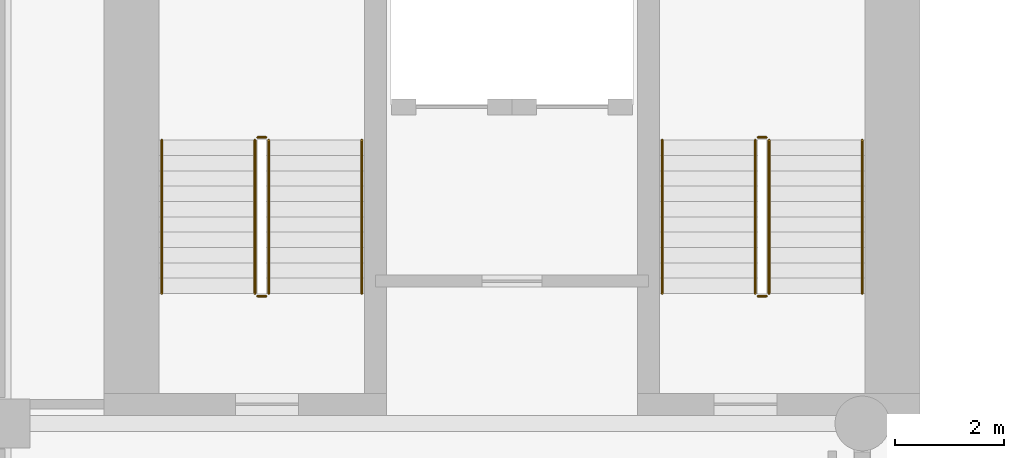
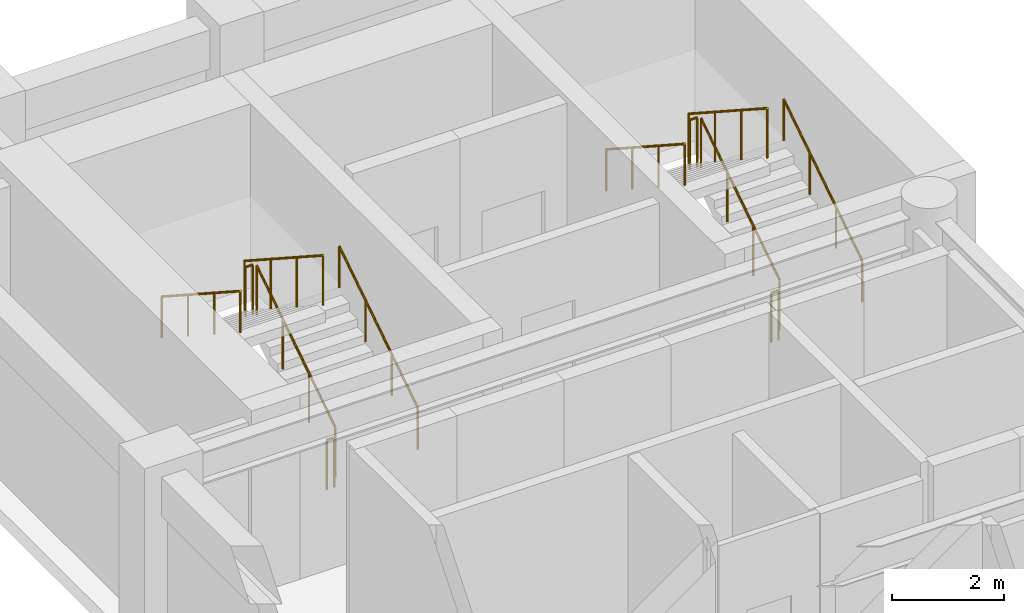
# One storey, part 9 of 10: 12 railings.
"""IFC4 building model written with IfcOpenShell, lengths in metres."""

from ifc_helpers import new_model, si_unit, direction, frame, origin, origin_2d, place, context, subcontext, project, spatial, circle, extrude, material, type_object, element, save


model = new_model("IFC4")

# Units and contexts
model_context = context("Model", 3, precision=1e-05, world=origin(), true_north=direction((0.0, 1.0)))
body_context = subcontext(model_context, "Body", "Model", "MODEL_VIEW")
ifc_project = project(units=[si_unit("LENGTHUNIT", "METRE"), si_unit("AREAUNIT", "SQUARE_METRE"), si_unit("VOLUMEUNIT", "CUBIC_METRE"), si_unit("PLANEANGLEUNIT", "RADIAN"), si_unit("MASSUNIT", "GRAM", prefix="KILO")], contexts=[model_context])

# Site, building, storey
site_placement = place(None, origin())
site = spatial("IfcSite", under=ifc_project, at=site_placement, CompositionType="ELEMENT")
building_placement = place(site_placement, origin())
building = spatial("IfcBuilding", under=site, at=building_placement, Name="Sulina Concourse Tower", CompositionType="ELEMENT")
storey_placement = place(building_placement, frame((0.0, 0.0, 30.60009765625)))
storey = spatial("IfcBuildingStorey", under=building, at=storey_placement, Name="L07", CompositionType="ELEMENT", Elevation=30.60009765625)

# Railings
ifc_material_1 = material(Name="Galvanised steel railing", Category="steel")
railing_type_1 = type_object("IfcRailingType", Name="Core Stair Steel Guardrail 1150mm", PredefinedType="GUARDRAIL", material=ifc_material_1)
railing_1_placement = place(storey_placement, frame((5.554931640625, 36.375, 0.181640625)))
element("IfcRailing", 1, at=railing_1_placement, inside=storey, type_object=railing_type_1, Name="L07 ST-1 stair guard 1", PredefinedType="GUARDRAIL", context=body_context, shape_type="SweptSolid", body=[
    extrude(circle(Radius=0.02392578125, at=origin_2d()), frame((0.0, 0.0, 1.076171875), z_axis=(0.0, 0.838672427954, 0.544636170843), x_axis=(-1.0, 0.0, 0.0)), (0.0, 0.0, 1.0), 3.338623046875),
    extrude(circle(Radius=0.02099609375, at=origin_2d()), origin(), (0.0, 0.0, 1.0), 1.052001953125),
    extrude(circle(Radius=0.02099609375, at=origin_2d()), frame((0.0, 0.933349609375, 0.606201171875)), (0.0, 0.0, 1.0), 1.052001953125),
    extrude(circle(Radius=0.02099609375, at=origin_2d()), frame((0.0, 1.86669921875, 1.212158203125)), (0.0, 0.0, 1.0), 1.052001953125),
    extrude(circle(Radius=0.02099609375, at=origin_2d()), frame((0.0, 2.800048828125, 1.818359375)), (0.0, 0.0, 1.0), 1.052001953125),
])
railing_2_placement = place(storey_placement, frame((5.5048828125, 39.22509765625, 2.0)))
element("IfcRailing", 2, at=railing_2_placement, inside=storey, type_object=railing_type_1, Name="L07 ST-1 stair guard 2", PredefinedType="GUARDRAIL", context=body_context, shape_type="SweptSolid", body=[
    extrude(circle(Radius=0.02392578125, at=origin_2d()), frame((0.0, 0.0, 1.076171875), z_axis=(-1.0, 0.0, 0.0), x_axis=(0.0, -1.0, 0.0)), (0.0, 0.0, 1.0), 0.14990234375),
    extrude(circle(Radius=0.02099609375, at=origin_2d()), origin(), (0.0, 0.0, 1.0), 1.052001953125),
    extrude(circle(Radius=0.02099609375, at=origin_2d()), frame((-0.14990234375, 0.0, 0.0)), (0.0, 0.0, 1.0), 1.052001953125),
])
railing_3_placement = place(storey_placement, frame((5.304931640625, 39.175048828125, 2.181640625)))
element("IfcRailing", 3, at=railing_3_placement, inside=storey, type_object=railing_type_1, Name="L07 ST-1 stair guard 3", PredefinedType="GUARDRAIL", context=body_context, shape_type="SweptSolid", body=[
    extrude(circle(Radius=0.02392578125, at=origin_2d()), frame((0.0, 0.0, 1.076171875), z_axis=(0.0, -0.838672427954, 0.544636170843), x_axis=(1.0, 0.0, 0.0)), (0.0, 0.0, 1.0), 3.338623046875),
    extrude(circle(Radius=0.02099609375, at=origin_2d()), origin(), (0.0, 0.0, 1.0), 1.052001953125),
    extrude(circle(Radius=0.02099609375, at=origin_2d()), frame((0.0, -0.933349609375, 0.606201171875)), (0.0, 0.0, 1.0), 1.052001953125),
    extrude(circle(Radius=0.02099609375, at=origin_2d()), frame((0.0, -1.86669921875, 1.212158203125)), (0.0, 0.0, 1.0), 1.052001953125),
    extrude(circle(Radius=0.02099609375, at=origin_2d()), frame((0.0, -2.800048828125, 1.818359375)), (0.0, 0.0, 1.0), 1.052001953125),
])
railing_4_placement = place(storey_placement, frame((5.5048828125, 36.324951171875, 0.0)))
element("IfcRailing", 4, at=railing_4_placement, inside=storey, type_object=railing_type_1, Name="L07 ST-1 stair guard 4", PredefinedType="GUARDRAIL", context=body_context, shape_type="SweptSolid", body=[
    extrude(circle(Radius=0.02392578125, at=origin_2d()), frame((0.0, 0.0, 1.076171875), z_axis=(-1.0, 0.0, 0.0), x_axis=(0.0, -1.0, 0.0)), (0.0, 0.0, 1.0), 0.14990234375),
    extrude(circle(Radius=0.02099609375, at=origin_2d()), origin(), (0.0, 0.0, 1.0), 1.052001953125),
    extrude(circle(Radius=0.02099609375, at=origin_2d()), frame((-0.14990234375, 0.0, 0.0)), (0.0, 0.0, 1.0), 1.052001953125),
])
railing_5_placement = place(storey_placement, frame((14.695068359375, 36.375, 0.181640625)))
element("IfcRailing", 5, at=railing_5_placement, inside=storey, type_object=railing_type_1, Name="L07 ST-2 stair guard 1", PredefinedType="GUARDRAIL", context=body_context, shape_type="SweptSolid", body=[
    extrude(circle(Radius=0.02392578125, at=origin_2d()), frame((0.0, 0.0, 1.076171875), z_axis=(0.0, 0.838672427954, 0.544636170843), x_axis=(-1.0, 0.0, 0.0)), (0.0, 0.0, 1.0), 3.338623046875),
    extrude(circle(Radius=0.02099609375, at=origin_2d()), origin(), (0.0, 0.0, 1.0), 1.052001953125),
    extrude(circle(Radius=0.02099609375, at=origin_2d()), frame((0.0, 0.933349609375, 0.606201171875)), (0.0, 0.0, 1.0), 1.052001953125),
    extrude(circle(Radius=0.02099609375, at=origin_2d()), frame((0.0, 1.86669921875, 1.212158203125)), (0.0, 0.0, 1.0), 1.052001953125),
    extrude(circle(Radius=0.02099609375, at=origin_2d()), frame((0.0, 2.800048828125, 1.818359375)), (0.0, 0.0, 1.0), 1.052001953125),
])
railing_6_placement = place(storey_placement, frame((14.64501953125, 39.22509765625, 2.0)))
element("IfcRailing", 6, at=railing_6_placement, inside=storey, type_object=railing_type_1, Name="L07 ST-2 stair guard 2", PredefinedType="GUARDRAIL", context=body_context, shape_type="SweptSolid", body=[
    extrude(circle(Radius=0.02392578125, at=origin_2d()), frame((0.0, 0.0, 1.076171875), z_axis=(-1.0, 0.0, 0.0), x_axis=(0.0, -1.0, 0.0)), (0.0, 0.0, 1.0), 0.14990234375),
    extrude(circle(Radius=0.02099609375, at=origin_2d()), origin(), (0.0, 0.0, 1.0), 1.052001953125),
    extrude(circle(Radius=0.02099609375, at=origin_2d()), frame((-0.14990234375, 0.0, 0.0)), (0.0, 0.0, 1.0), 1.052001953125),
])
railing_7_placement = place(storey_placement, frame((14.445068359375, 39.175048828125, 2.181640625)))
element("IfcRailing", 7, at=railing_7_placement, inside=storey, type_object=railing_type_1, Name="L07 ST-2 stair guard 3", PredefinedType="GUARDRAIL", context=body_context, shape_type="SweptSolid", body=[
    extrude(circle(Radius=0.02392578125, at=origin_2d()), frame((0.0, 0.0, 1.076171875), z_axis=(0.0, -0.838672427954, 0.544636170843), x_axis=(1.0, 0.0, 0.0)), (0.0, 0.0, 1.0), 3.338623046875),
    extrude(circle(Radius=0.02099609375, at=origin_2d()), origin(), (0.0, 0.0, 1.0), 1.052001953125),
    extrude(circle(Radius=0.02099609375, at=origin_2d()), frame((0.0, -0.933349609375, 0.606201171875)), (0.0, 0.0, 1.0), 1.052001953125),
    extrude(circle(Radius=0.02099609375, at=origin_2d()), frame((0.0, -1.86669921875, 1.212158203125)), (0.0, 0.0, 1.0), 1.052001953125),
    extrude(circle(Radius=0.02099609375, at=origin_2d()), frame((0.0, -2.800048828125, 1.818359375)), (0.0, 0.0, 1.0), 1.052001953125),
])
railing_8_placement = place(storey_placement, frame((14.64501953125, 36.324951171875, 0.0)))
element("IfcRailing", 8, at=railing_8_placement, inside=storey, type_object=railing_type_1, Name="L07 ST-2 stair guard 4", PredefinedType="GUARDRAIL", context=body_context, shape_type="SweptSolid", body=[
    extrude(circle(Radius=0.02392578125, at=origin_2d()), frame((0.0, 0.0, 1.076171875), z_axis=(-1.0, 0.0, 0.0), x_axis=(0.0, -1.0, 0.0)), (0.0, 0.0, 1.0), 0.14990234375),
    extrude(circle(Radius=0.02099609375, at=origin_2d()), origin(), (0.0, 0.0, 1.0), 1.052001953125),
    extrude(circle(Radius=0.02099609375, at=origin_2d()), frame((-0.14990234375, 0.0, 0.0)), (0.0, 0.0, 1.0), 1.052001953125),
])
ifc_material_2 = material(Name="Galvanised steel railing", Category="steel")
railing_type_2 = type_object("IfcRailingType", Name="Stair Wall Steel Handrail 920mm", PredefinedType="HANDRAIL", material=ifc_material_2)
railing_9_placement = place(storey_placement, frame((7.2548828125, 36.375, 0.181640625)))
element("IfcRailing", 9, at=railing_9_placement, inside=storey, type_object=railing_type_2, Name="L07 ST-1 stair handrail 1", PredefinedType="HANDRAIL", context=body_context, shape_type="SweptSolid", body=[
    extrude(circle(Radius=0.02392578125, at=origin_2d()), frame((0.0, 0.0, 0.89599609375), z_axis=(0.0, 0.838672427954, 0.544636170843), x_axis=(-1.0, 0.0, 0.0)), (0.0, 0.0, 1.0), 3.338623046875),
    extrude(circle(Radius=0.02099609375, at=origin_2d()), origin(), (0.0, 0.0, 1.0), 0.871826171875),
    extrude(circle(Radius=0.02099609375, at=origin_2d()), frame((0.0, 0.933349609375, 0.606201171875)), (0.0, 0.0, 1.0), 0.871826171875),
    extrude(circle(Radius=0.02099609375, at=origin_2d()), frame((0.0, 1.86669921875, 1.212158203125)), (0.0, 0.0, 1.0), 0.871826171875),
    extrude(circle(Radius=0.02099609375, at=origin_2d()), frame((0.0, 2.800048828125, 1.818359375)), (0.0, 0.0, 1.0), 0.871826171875),
])
railing_10_placement = place(storey_placement, frame((3.60498046875, 39.175048828125, 2.181640625)))
element("IfcRailing", 10, at=railing_10_placement, inside=storey, type_object=railing_type_2, Name="L07 ST-1 stair handrail 2", PredefinedType="HANDRAIL", context=body_context, shape_type="SweptSolid", body=[
    extrude(circle(Radius=0.02392578125, at=origin_2d()), frame((0.0, 0.0, 0.89599609375), z_axis=(0.0, -0.838672427954, 0.544636170843), x_axis=(1.0, 0.0, 0.0)), (0.0, 0.0, 1.0), 3.338623046875),
    extrude(circle(Radius=0.02099609375, at=origin_2d()), origin(), (0.0, 0.0, 1.0), 0.871826171875),
    extrude(circle(Radius=0.02099609375, at=origin_2d()), frame((0.0, -0.933349609375, 0.606201171875)), (0.0, 0.0, 1.0), 0.871826171875),
    extrude(circle(Radius=0.02099609375, at=origin_2d()), frame((0.0, -1.86669921875, 1.212158203125)), (0.0, 0.0, 1.0), 0.871826171875),
    extrude(circle(Radius=0.02099609375, at=origin_2d()), frame((0.0, -2.800048828125, 1.818359375)), (0.0, 0.0, 1.0), 0.871826171875),
])
railing_11_placement = place(storey_placement, frame((16.39501953125, 36.375, 0.181640625)))
element("IfcRailing", 11, at=railing_11_placement, inside=storey, type_object=railing_type_2, Name="L07 ST-2 stair handrail 1", PredefinedType="HANDRAIL", context=body_context, shape_type="SweptSolid", body=[
    extrude(circle(Radius=0.02392578125, at=origin_2d()), frame((0.0, 0.0, 0.89599609375), z_axis=(0.0, 0.838672427954, 0.544636170843), x_axis=(-1.0, 0.0, 0.0)), (0.0, 0.0, 1.0), 3.338623046875),
    extrude(circle(Radius=0.02099609375, at=origin_2d()), origin(), (0.0, 0.0, 1.0), 0.871826171875),
    extrude(circle(Radius=0.02099609375, at=origin_2d()), frame((0.0, 0.933349609375, 0.606201171875)), (0.0, 0.0, 1.0), 0.871826171875),
    extrude(circle(Radius=0.02099609375, at=origin_2d()), frame((0.0, 1.86669921875, 1.212158203125)), (0.0, 0.0, 1.0), 0.871826171875),
    extrude(circle(Radius=0.02099609375, at=origin_2d()), frame((0.0, 2.800048828125, 1.818359375)), (0.0, 0.0, 1.0), 0.871826171875),
])
railing_12_placement = place(storey_placement, frame((12.7451171875, 39.175048828125, 2.181640625)))
element("IfcRailing", 12, at=railing_12_placement, inside=storey, type_object=railing_type_2, Name="L07 ST-2 stair handrail 2", PredefinedType="HANDRAIL", context=body_context, shape_type="SweptSolid", body=[
    extrude(circle(Radius=0.02392578125, at=origin_2d()), frame((0.0, 0.0, 0.89599609375), z_axis=(0.0, -0.838672427954, 0.544636170843), x_axis=(1.0, 0.0, 0.0)), (0.0, 0.0, 1.0), 3.338623046875),
    extrude(circle(Radius=0.02099609375, at=origin_2d()), origin(), (0.0, 0.0, 1.0), 0.871826171875),
    extrude(circle(Radius=0.02099609375, at=origin_2d()), frame((0.0, -0.933349609375, 0.606201171875)), (0.0, 0.0, 1.0), 0.871826171875),
    extrude(circle(Radius=0.02099609375, at=origin_2d()), frame((0.0, -1.86669921875, 1.212158203125)), (0.0, 0.0, 1.0), 0.871826171875),
    extrude(circle(Radius=0.02099609375, at=origin_2d()), frame((0.0, -2.800048828125, 1.818359375)), (0.0, 0.0, 1.0), 0.871826171875),
])

save(model, "model.ifc")
